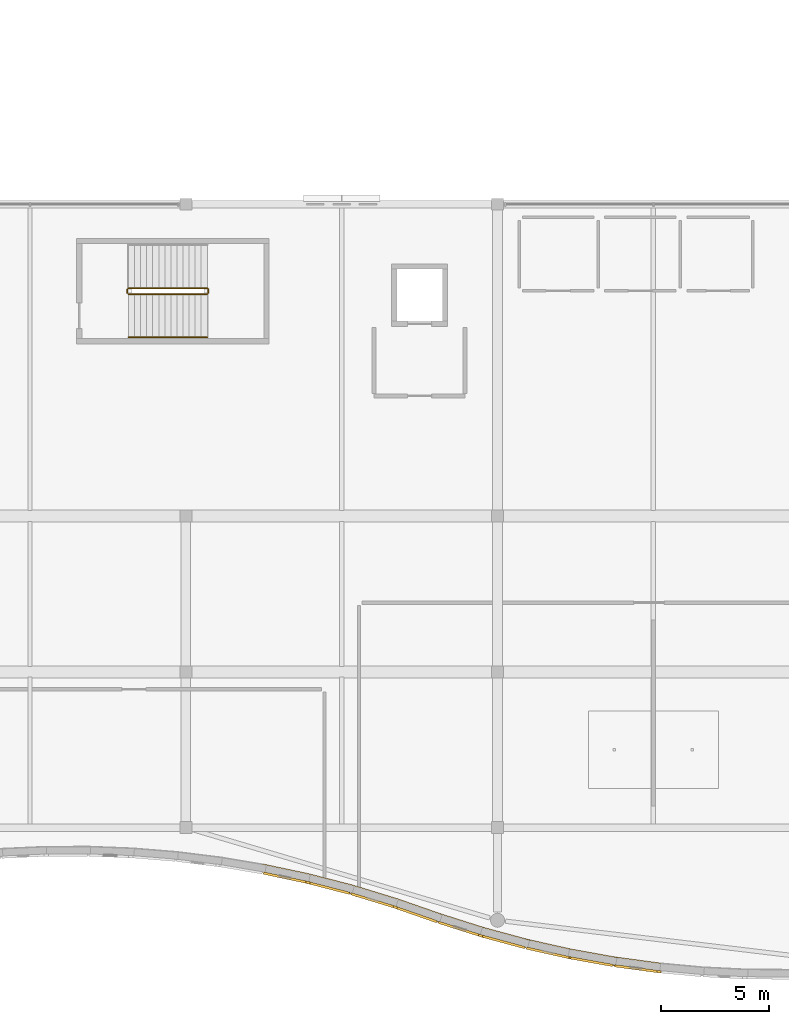
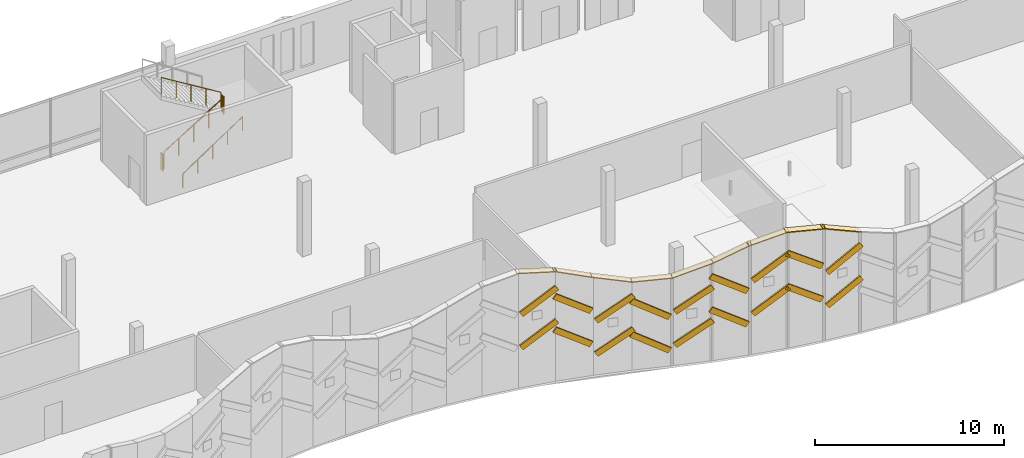
# One storey, part 105 of 116: 27 coverings, 5 railings.
"""IFC4 building model written with IfcOpenShell, lengths in metres."""

import ifcopenshell
import ifcopenshell.guid

model = None  # the IFC model being written
_history = None  # IfcOwnerHistory: only IFC2X3 demands one
_inside = {}  # id of a spatial element -> (the spatial element, [elements in it])
_under = {}  # id of a project, library or spatial element -> (it, [spatial elements below it])
_declared = {}  # id of a project -> (the project, [libraries it declares])
_typed = {}  # id of a type object -> (the type object, [elements of that type])
_made_of = {}  # id of a material, layer set ... -> (it, [elements and type objects made of it])


def new_model(schema):
    """Start an empty IFC model of exactly this schema.

    Asked for "IFC4X3", IfcOpenShell would pick the latest addendum, in which some entities
    have other attributes; the version numbers below select the first issue.
    IFC2X3 requires an IfcOwnerHistory on every rooted entity: one is made here for all.
    """
    global model, _history
    if schema == "IFC4X3":
        model = ifcopenshell.file(schema_version=(4, 3, 0, 0))
    else:
        model = ifcopenshell.file(schema=schema)
    _inside.clear()
    _under.clear()
    _declared.clear()
    _typed.clear()
    _made_of.clear()
    _history = None
    if model.schema == "IFC2X3":
        org = make("IfcOrganization", Name="unknown")
        user = make(
            "IfcPersonAndOrganization",
            ThePerson=make("IfcPerson", FamilyName="unknown"),
            TheOrganization=org,
        )
        app = make(
            "IfcApplication",
            ApplicationDeveloper=org,
            Version="unknown",
            ApplicationFullName="unknown",
            ApplicationIdentifier="unknown",
        )
        _history = make(
            "IfcOwnerHistory",
            OwningUser=user,
            OwningApplication=app,
            ChangeAction="ADDED",
            CreationDate=0,
        )
    return model


def make(cls, **values):
    """One entity of the class cls with the attributes given. An attribute that is None is left unset."""
    return model.create_entity(
        cls, **{name: value for name, value in values.items() if value is not None}
    )


def rooted(cls, **values):
    """An entity with a GlobalId (a new one), such as an element, a storey or a relation."""
    return make(cls, GlobalId=ifcopenshell.guid.new(), OwnerHistory=_history, **values)


def si_unit(unit_type, name, prefix=None):
    """IfcSIUnit, for example si_unit("LENGTHUNIT", "METRE", prefix="MILLI")."""
    return make("IfcSIUnit", UnitType=unit_type, Prefix=prefix, Name=name)


def assignment(units):
    """IfcUnitAssignment: the units of a project."""
    return None if units is None else make("IfcUnitAssignment", Units=units)


def point(xyz):
    """IfcCartesianPoint."""
    return None if xyz is None else make("IfcCartesianPoint", Coordinates=xyz)


def direction(xyz):
    """IfcDirection."""
    return None if xyz is None else make("IfcDirection", DirectionRatios=xyz)


def frame(location, z_axis=None, x_axis=None):
    """IfcAxis2Placement3D, a coordinate frame: its origin and axes. An axis left out is left unset."""
    return make(
        "IfcAxis2Placement3D",
        Location=point(location),
        Axis=direction(z_axis),
        RefDirection=direction(x_axis),
    )


def frame_2d(location, x_axis=None):
    """IfcAxis2Placement2D, a coordinate frame in the plane: its origin and x axis."""
    return make(
        "IfcAxis2Placement2D", Location=point(location), RefDirection=direction(x_axis)
    )


def origin():
    """The frame at (0, 0, 0) with its axes left unset."""
    return frame((0.0, 0.0, 0.0))


def origin_2d():
    """The frame at (0, 0) in the plane with its x axis left unset."""
    return frame_2d((0.0, 0.0))


def place(relative_to, where):
    """IfcLocalPlacement: puts the frame where relative to a parent placement (None: the world)."""
    return make(
        "IfcLocalPlacement", PlacementRelTo=relative_to, RelativePlacement=where
    )


def context(
    kind, dimensions, precision=None, world=None, true_north=None, identifier=None
):
    """IfcGeometricRepresentationContext, for example the 3D "Model" context."""
    return make(
        "IfcGeometricRepresentationContext",
        ContextIdentifier=identifier,
        ContextType=kind,
        CoordinateSpaceDimension=dimensions,
        Precision=precision,
        WorldCoordinateSystem=world,
        TrueNorth=true_north,
    )


def subcontext(parent, identifier, kind, view, scale=None):
    """IfcGeometricRepresentationSubContext, for example "Body" below "Model"."""
    return make(
        "IfcGeometricRepresentationSubContext",
        ContextIdentifier=identifier,
        ContextType=kind,
        ParentContext=parent,
        TargetScale=scale,
        TargetView=view,
    )


def project(units=None, contexts=None):
    """IfcProject with its units and contexts."""
    return rooted(
        "IfcProject",
        Name="project",
        RepresentationContexts=contexts,
        UnitsInContext=assignment(units),
    )


def spatial(cls, under=None, at=None, **own):
    """A site, building, storey or space (cls), placed at a placement, below another one or the project."""
    s = rooted(cls, ObjectPlacement=at, **own)
    if under is not None:
        _under.setdefault(under.id(), (under, []))[1].append(s)
    return s


def polyline(points):
    """IfcPolyline through the points."""
    return make("IfcPolyline", Points=[point(p) for p in points])


def profile(cls, at=None, kind="AREA", **sizes):
    """A parametric profile (cls). Its sizes go by their IFC names, for example OverallWidth=200.0."""
    return make(cls, ProfileType=kind, Position=at, **sizes)


def circle(**sizes):
    """IfcCircleProfileDef."""
    return profile("IfcCircleProfileDef", **sizes)


def outline(outer, holes=None, kind="AREA"):
    """IfcArbitraryClosedProfileDef: a profile drawn as a closed curve; with holes, ...WithVoids."""
    if holes is None:
        return make("IfcArbitraryClosedProfileDef", ProfileType=kind, OuterCurve=outer)
    return make(
        "IfcArbitraryProfileDefWithVoids",
        ProfileType=kind,
        OuterCurve=outer,
        InnerCurves=holes,
    )


def extrude(swept, where, along, depth):
    """IfcExtrudedAreaSolid: the profile swept, set in the frame where, extruded along a direction by depth."""
    return make(
        "IfcExtrudedAreaSolid",
        SweptArea=swept,
        Position=where,
        ExtrudedDirection=direction(along),
        Depth=depth,
    )


def shape(context_of_items, identifier, shape_type, items):
    """IfcShapeRepresentation: the items that make up one representation, for example the "Body"."""
    return make(
        "IfcShapeRepresentation",
        ContextOfItems=context_of_items,
        RepresentationIdentifier=identifier,
        RepresentationType=shape_type,
        Items=items,
    )


def material(Name=None, Category=None):
    """IfcMaterial."""
    return make("IfcMaterial", Name=Name, Category=Category)


def layer(
    of_material, thickness, ventilated=None, Name=None, Category=None, Priority=None
):
    """IfcMaterialLayer: one layer of a wall or slab, of a material (None: an air gap)."""
    return make(
        "IfcMaterialLayer",
        Material=of_material,
        LayerThickness=thickness,
        IsVentilated=ventilated,
        Name=Name,
        Category=Category,
        Priority=Priority,
    )


def layer_set(layers, Name=None):
    """IfcMaterialLayerSet."""
    return make("IfcMaterialLayerSet", MaterialLayers=layers, LayerSetName=Name)


def made_of(thing, what):
    """Note that an element or type object is made of a material, layer set ...; save() writes the relation."""
    if what is not None:
        _made_of.setdefault(what.id(), (what, []))[1].append(thing)
    return thing


def type_object(cls, material=None, **own):
    """A type object (cls), such as IfcWallType, which elements share."""
    return made_of(rooted(cls, **own), material)


def element(
    cls,
    number,
    at=None,
    inside=None,
    cuts=None,
    type_object=None,
    material=None,
    context=None,
    identifier="Body",
    shape_type=None,
    held_by="IfcProductDefinitionShape",
    body=None,
    shapes=None,
    **own,
):
    """One element of the class cls, such as IfcWall. Its Tag is "e" and its number.

    at: its placement. inside: the storey or other place that contains it. cuts: it is an
    opening in that element (IfcRelVoidsElement). A single representation is given by context,
    identifier, shape_type and body (its items); several are given by shapes. held_by: the class
    of the entity that holds the representations. save() writes the other relations.
    """
    e = rooted(cls, Tag="e%d" % number, ObjectPlacement=at, **own)
    if body is not None:
        shapes = [shape(context, identifier, shape_type, body)]
    if shapes is not None:
        e.Representation = make(held_by, Representations=shapes)
    if inside is not None:
        _inside.setdefault(inside.id(), (inside, []))[1].append(e)
    if cuts is not None:
        rooted(
            "IfcRelVoidsElement", RelatingBuildingElement=cuts, RelatedOpeningElement=e
        )
    if type_object is not None:
        _typed.setdefault(type_object.id(), (type_object, []))[1].append(e)
    return made_of(e, material)


def aggregate(whole, parts):
    """IfcRelAggregates: a whole, such as a stair, and the parts it consists of."""
    return rooted("IfcRelAggregates", RelatingObject=whole, RelatedObjects=parts)


def save(model, path):
    """Write the relations noted so far, then the file.

    IfcRelAggregates (storeys below a building ...), IfcRelContainedInSpatialStructure (elements
    in a storey), IfcRelDefinesByType, IfcRelAssociatesMaterial and IfcRelDeclares: one each for
    every whole, place, type object, material and project.
    """
    for whole, parts in _under.values():
        aggregate(whole, parts)
    for where, things in _inside.values():
        rooted(
            "IfcRelContainedInSpatialStructure",
            RelatedElements=things,
            RelatingStructure=where,
        )
    for kind, things in _typed.values():
        rooted("IfcRelDefinesByType", RelatedObjects=things, RelatingType=kind)
    for what, things in _made_of.values():
        rooted("IfcRelAssociatesMaterial", RelatedObjects=things, RelatingMaterial=what)
    for by, libraries in _declared.values():
        rooted("IfcRelDeclares", RelatingContext=by, RelatedDefinitions=libraries)
    model.write(path)


model = new_model("IFC4")

# Units and contexts
model_context = context("Model", 3, precision=1e-05, world=origin(), true_north=direction((0.0, 1.0)))
body_context = subcontext(model_context, "Body", "Model", "MODEL_VIEW")
ifc_project = project(units=[si_unit("LENGTHUNIT", "METRE"), si_unit("AREAUNIT", "SQUARE_METRE"), si_unit("VOLUMEUNIT", "CUBIC_METRE"), si_unit("PLANEANGLEUNIT", "RADIAN"), si_unit("MASSUNIT", "GRAM", prefix="KILO")], contexts=[model_context])

# Site, building, storey
site_placement = place(None, origin())
site = spatial("IfcSite", under=ifc_project, at=site_placement, CompositionType="ELEMENT")
building_placement = place(site_placement, origin())
building = spatial("IfcBuilding", under=site, at=building_placement, Name="Cendralis Lancet Convention Centre", CompositionType="ELEMENT")
storey_placement = place(building_placement, frame((0.0, 0.0, 15.0)))
storey = spatial("IfcBuildingStorey", under=building, at=storey_placement, Name="L03", CompositionType="ELEMENT", Elevation=15.0)

# Coverings
ifc_material_1 = material(Name="Warm buff sandstone chevron cassette", Category="masonry")
ifc_layer_1 = layer(ifc_material_1, 0.06005859375, Name="Warm buff sandstone chevron cassette")
ifc_layer_set_1 = layer_set([ifc_layer_1], Name="Warm buff sandstone chevron cassette")
covering_type_1 = type_object("IfcCoveringType", Name="ARC-CV-CLAD1", PredefinedType="CLADDING", material=ifc_layer_set_1)
covering_1_placement = place(storey_placement, frame((32.38818359375, 5.04248046875, 2.7880859375), z_axis=(-0.534950305889, 0.113419169162, 0.837236085161), x_axis=(0.818976257183, -0.173902767528, 0.546841583657)))
element("IfcCovering", 1, at=covering_1_placement, inside=storey, type_object=covering_type_1, Name="L03 Diagonal Stone Chevron Relief CL-ST1 #0101", PredefinedType="CLADDING", context=body_context, shape_type="SweptSolid", body=[
    extrude(outline(polyline([(0.0, 0.0), (2.3768309754236987, 2.4015078120553923e-17), (2.3769024226149433, 0.11008464103954016), (-0.00012849818404408325, 0.11003395256532972), (0.0, 0.0)])), origin(), (0.0, 0.0, -1.0), 0.360107421875),
])
covering_2_placement = place(storey_placement, frame((34.401611328125, 4.61328125, 3.5400390625), z_axis=(0.525708737649, -0.135336917587, 0.839829888667), x_axis=(0.813251866654, -0.209608349465, -0.542849648814)))
element("IfcCovering", 2, at=covering_2_placement, inside=storey, type_object=covering_type_1, Name="L03 Diagonal Stone Chevron Relief CL-ST1 #0107", PredefinedType="CLADDING", context=body_context, shape_type="SweptSolid", body=[
    extrude(outline(polyline([(0.0, 0.0), (2.394760568051212, -1.2468324983583301e-17), (2.3948334714241444, 0.1101985557260967), (-0.00012564444607509814, 0.11013764191872884), (0.0, 0.0)])), origin(), (0.0, 0.0, -1.0), 0.360107421875),
])
covering_3_placement = place(storey_placement, frame((36.414794921875, 4.093017578125, 1.5439453125), z_axis=(-0.514317451293, 0.157700124438, 0.842975818186), x_axis=(0.806255903693, -0.246089379247, 0.53795114572)))
element("IfcCovering", 3, at=covering_3_placement, inside=storey, type_object=covering_type_1, Name="L03 Diagonal Stone Chevron Relief CL-ST1 #0113", PredefinedType="CLADDING", context=body_context, shape_type="SweptSolid", body=[
    extrude(outline(polyline([(0.0, 0.0), (2.416697252485655, 7.752045533271357e-17), (2.4167854499543617, 0.11004890548893434), (0.00014827788356162538, 0.10981542602304782), (0.0, 0.0)])), origin(), (0.0, 0.0, -1.0), 0.360107421875),
])
covering_4_placement = place(storey_placement, frame((38.4296875, 3.4765625, 2.514892578125), z_axis=(0.503157001729, -0.175011131036, 0.846288447058), x_axis=(0.799403094232, -0.277774815602, -0.532724924092)))
element("IfcCovering", 4, at=covering_4_placement, inside=storey, type_object=covering_type_1, Name="L03 Diagonal Stone Chevron Relief CL-ST1 #0119", PredefinedType="CLADDING", context=body_context, shape_type="SweptSolid", body=[
    extrude(outline(polyline([(0.0, 0.0), (2.439883228466837, 1.0245710529988017e-16), (2.4399460608192136, 0.10987112767876948), (-4.9837647139970576e-06, 0.11010173555932223), (0.0, 0.0)])), origin(), (0.0, 0.0, -1.0), 0.360107421875),
])
covering_5_placement = place(storey_placement, frame((40.462890625, 2.771240234375, 1.5029296875), z_axis=(-0.511337774202, 0.162508978297, 0.843874701983), x_axis=(0.804316544098, -0.255341790384, 0.536540275257)))
element("IfcCovering", 5, at=covering_5_placement, inside=storey, type_object=covering_type_1, Name="L03 Diagonal Stone Chevron Relief CL-ST1 #0125", PredefinedType="CLADDING", context=body_context, shape_type="SweptSolid", body=[
    extrude(outline(polyline([(0.0, 0.0), (2.4228925091726596, -6.483528991463317e-17), (2.423051136728038, 0.10994719677205798), (-0.00010007809268892942, 0.11010599232988509), (0.0, 0.0)])), origin(), (0.0, 0.0, -1.0), 0.360107421875),
])
covering_6_placement = place(storey_placement, frame((42.49951171875, 2.126708984375, 3.5048828125), z_axis=(0.522693771512, -0.141788195491, 0.840646970399), x_axis=(0.811561100782, -0.219217118599, -0.541583266553)))
element("IfcCovering", 6, at=covering_6_placement, inside=storey, type_object=covering_type_1, Name="L03 Diagonal Stone Chevron Relief CL-ST1 #0131", PredefinedType="CLADDING", context=body_context, shape_type="SweptSolid", body=[
    extrude(outline(polyline([(0.0, 0.0), (2.400008951110837, -6.960577947356938e-17), (2.400107770276262, 0.11003914856199302), (9.881916542499314e-05, 0.11003914856199304), (0.0, 0.0)])), origin(), (0.0, 0.0, -1.0), 0.360107421875),
])
covering_7_placement = place(storey_placement, frame((44.5361328125, 1.57861328125, 2.81396484375), z_axis=(-0.53277069084, 0.1192679842, 0.837812949844), x_axis=(0.817605654926, -0.182897613704, 0.545957375565)))
element("IfcCovering", 7, at=covering_7_placement, inside=storey, type_object=covering_type_1, Name="L03 Diagonal Stone Chevron Relief CL-ST1 #0137", PredefinedType="CLADDING", context=body_context, shape_type="SweptSolid", body=[
    extrude(outline(polyline([(0.0, 0.0), (2.381327506291326, 4.4398078963281407e-17), (2.3812421557427212, 0.11005403546716523), (0.00011426020699233097, 0.11010734338340043), (0.0, 0.0)])), origin(), (0.0, 0.0, -1.0), 0.360107421875),
])
covering_8_placement = place(storey_placement, frame((46.572509765625, 1.125, 4.194091796875), z_axis=(0.54056984963, -0.096791223076, 0.835712687953), x_axis=(0.822617547187, -0.147363731386, -0.549166916094)))
element("IfcCovering", 8, at=covering_8_placement, inside=storey, type_object=covering_type_1, Name="L03 Diagonal Stone Chevron Relief CL-ST1 #0143", PredefinedType="CLADDING", context=body_context, shape_type="SweptSolid", body=[
    extrude(outline(polyline([(0.0, 0.0), (2.367411321841086, 1.9081958235744878e-17), (2.3673032382210972, 0.11010085287617681), (9.275074211759562e-05, 0.11014389688924925), (0.0, 0.0)])), origin(), (0.0, 0.0, -1.0), 0.360107421875),
])
covering_9_placement = place(storey_placement, frame((48.610107421875, 0.761962890625, 2.39306640625), z_axis=(-0.547108722041, 0.074132312841, 0.833772418865), x_axis=(0.826303815869, -0.111348835484, 0.552108178454)))
element("IfcCovering", 9, at=covering_9_placement, inside=storey, type_object=covering_type_1, Name="L03 Diagonal Stone Chevron Relief CL-ST1 #0149", PredefinedType="CLADDING", context=body_context, shape_type="SweptSolid", body=[
    extrude(outline(polyline([(0.0, 0.0), (2.354786648451563, 3.8272336688738307e-17), (2.354766298921833, 0.10986760438700886), (0.0001542000260283012, 0.11014220916614062), (0.0, 0.0)])), origin(), (0.0, 0.0, -1.0), 0.360107421875),
])
ifc_material_2 = material(Name="Dark Andean slate chevron cassette", Category="masonry")
ifc_layer_2 = layer(ifc_material_2, 0.06005859375, Name="Dark Andean slate chevron cassette")
ifc_layer_set_2 = layer_set([ifc_layer_2], Name="Dark Andean slate chevron cassette")
covering_type_2 = type_object("IfcCoveringType", Name="ARC-CV-CLAD2", PredefinedType="CLADDING", material=ifc_layer_set_2)
covering_10_placement = place(storey_placement, frame((32.275146484375, 5.112548828125, 7.474609375), z_axis=(0.156682057546, -0.033301923646, 0.987087490917), x_axis=(0.965554333323, -0.205052541661, -0.160182035694)))
element("IfcCovering", 10, at=covering_10_placement, inside=storey, type_object=covering_type_2, Name="Wave Ribbon Sinusoidal Slate Coping W-016", PredefinedType="CLADDING", context=body_context, shape_type="SweptSolid", body=[
    extrude(outline(polyline([(0.0, 0.0), (2.269333822541584, -6.988191221437429e-17), (2.2695218294398534, 0.4198429051753988), (-4.7724140139135396e-05, 0.4197921876048967), (0.0, 0.0)])), origin(), (0.0, 0.0, -1.0), 0.06005859375),
])
covering_11_placement = place(storey_placement, frame((32.38818359375, 5.04248046875, 4.93798828125), z_axis=(-0.535020732158, 0.113434100809, 0.837189059254), x_axis=(0.818930256898, -0.173892999751, 0.546913575416)))
element("IfcCovering", 11, at=covering_11_placement, inside=storey, type_object=covering_type_2, Name="L03 Diagonal Stone Chevron Relief CL-ST2 #0102", PredefinedType="CLADDING", context=body_context, shape_type="SweptSolid", body=[
    extrude(outline(polyline([(0.0, 0.0), (2.3769644960736502, 1.3002294553532412e-16), (2.3770359392519813, 0.11008464103704459), (-0.0001284909664191619, 0.1100339525686559), (0.0, 0.0)])), origin(), (0.0, 0.0, -1.0), 0.360107421875),
])
covering_12_placement = place(storey_placement, frame((34.291748046875, 4.688232421875, 7.163330078125), z_axis=(0.335872798275, -0.086488253578, 0.937928166424), x_axis=(0.908237773688, -0.23412261487, -0.346829565713)))
element("IfcCovering", 12, at=covering_12_placement, inside=storey, type_object=covering_type_2, Name="Wave Ribbon Sinusoidal Slate Coping W-017", PredefinedType="CLADDING", context=body_context, shape_type="SweptSolid", body=[
    extrude(outline(polyline([(0.0, 0.0), (2.410929526453684, 1.6696713456276768e-17), (2.410828385960318, 0.42000680665188317), (-0.00010114049336597264, 0.42000680665188317), (0.0, 0.0)])), origin(), (0.0, 0.0, -1.0), 0.06005859375),
])
covering_13_placement = place(storey_placement, frame((34.401611328125, 4.61328125, 5.68994140625), z_axis=(0.525708737649, -0.135336917587, 0.839829888667), x_axis=(0.813251866654, -0.209608349465, -0.542849648814)))
element("IfcCovering", 13, at=covering_13_placement, inside=storey, type_object=covering_type_2, Name="L03 Diagonal Stone Chevron Relief CL-ST2 #0108", PredefinedType="CLADDING", context=body_context, shape_type="SweptSolid", body=[
    extrude(outline(polyline([(0.0, 0.0), (2.394760568051212, -1.2468324983583301e-17), (2.3948334714241444, 0.1101985557260967), (-0.00012564444607509814, 0.11013764191872884), (0.0, 0.0)])), origin(), (0.0, 0.0, -1.0), 0.360107421875),
])
covering_14_placement = place(storey_placement, frame((36.30859375, 4.17236328125, 6.392822265625), z_axis=(0.275793598248, -0.084137579046, 0.957527419429), x_axis=(0.915840696901, -0.27945406972, -0.28834222864)))
element("IfcCovering", 14, at=covering_14_placement, inside=storey, type_object=covering_type_2, Name="Wave Ribbon Sinusoidal Slate Coping W-018", PredefinedType="CLADDING", context=body_context, shape_type="SweptSolid", body=[
    extrude(outline(polyline([(0.0, 0.0), (2.388518920370996, -2.3954091748351614e-18), (2.388531148191834, 0.4198955435882799), (-5.599827040200789e-05, 0.420129055678093), (0.0, 0.0)])), origin(), (0.0, 0.0, -1.0), 0.06005859375),
])
covering_15_placement = place(storey_placement, frame((36.414794921875, 4.093017578125, 3.694091796875), z_axis=(-0.514248811292, 0.157679078027, 0.843021629875), x_axis=(0.80629971978, -0.24610275301, 0.537879351569)))
element("IfcCovering", 15, at=covering_15_placement, inside=storey, type_object=covering_type_2, Name="L03 Diagonal Stone Chevron Relief CL-ST2 #0114", PredefinedType="CLADDING", context=body_context, shape_type="SweptSolid", body=[
    extrude(outline(polyline([(0.0, 0.0), (2.416565927159779, -8.326672684688674e-17), (2.416654129421428, 0.11004890548554222), (0.0001482859415831636, 0.10981542601261758), (0.0, 0.0)])), origin(), (0.0, 0.0, -1.0), 0.360107421875),
])
covering_16_placement = place(storey_placement, frame((38.326416015625, 3.56005859375, 5.73486328125), z_axis=(0.012053739903, -0.0041872838, 0.99991858369), x_axis=(0.944533652507, -0.328166654751, -0.012760328793)))
element("IfcCovering", 16, at=covering_16_placement, inside=storey, type_object=covering_type_2, Name="Wave Ribbon Sinusoidal Slate Coping W-019", PredefinedType="CLADDING", context=body_context, shape_type="SweptSolid", body=[
    extrude(outline(polyline([(0.0, 0.0), (2.3151822643740836, -4.616647199891157e-17), (2.3150470510057835, 0.4199446343384667), (9.538566795624925e-05, 0.42002475967239034), (0.0, 0.0)])), origin(), (0.0, 0.0, -1.0), 0.06005859375),
])
covering_17_placement = place(storey_placement, frame((38.4296875, 3.4765625, 4.6650390625), z_axis=(0.503224682855, -0.175034672297, 0.846243335016), x_axis=(0.799360481452, -0.277760008608, -0.532796582488)))
element("IfcCovering", 17, at=covering_17_placement, inside=storey, type_object=covering_type_2, Name="L03 Diagonal Stone Chevron Relief CL-ST2 #0120", PredefinedType="CLADDING", context=body_context, shape_type="SweptSolid", body=[
    extrude(outline(polyline([(0.0, 0.0), (2.4400132988194647, 7.451179430406629e-17), (2.440076127822473, 0.10987112768012615), (-4.9834990936172e-06, 0.11010173555877661), (0.0, 0.0)])), origin(), (0.0, 0.0, -1.0), 0.360107421875),
])
covering_18_placement = place(storey_placement, frame((40.357421875, 2.85205078125, 5.6787109375), z_axis=(-0.263169771339, 0.083575269056, 0.961122700728), x_axis=(0.916063752413, -0.290833367828, 0.276121628404)))
element("IfcCovering", 18, at=covering_18_placement, inside=storey, type_object=covering_type_2, Name="Wave Ribbon Sinusoidal Slate Coping W-020", PredefinedType="CLADDING", context=body_context, shape_type="SweptSolid", body=[
    extrude(outline(polyline([(0.0, 0.0), (2.387391989480237, -1.05574186545776e-17), (2.38731319587294, 0.4198026889676573), (0.00014485476975761857, 0.419876566773159), (0.0, 0.0)])), origin(), (0.0, 0.0, -1.0), 0.06005859375),
])
covering_19_placement = place(storey_placement, frame((40.462890625, 2.771240234375, 3.653076171875), z_axis=(-0.511269386278, 0.162487243835, 0.843920322214), x_axis=(0.804360025795, -0.255355594269, 0.53646851667)))
element("IfcCovering", 19, at=covering_19_placement, inside=storey, type_object=covering_type_2, Name="L03 Diagonal Stone Chevron Relief CL-ST2 #0126", PredefinedType="CLADDING", context=body_context, shape_type="SweptSolid", body=[
    extrude(outline(polyline([(0.0, 0.0), (2.4227615196598657, 6.423897871976614e-18), (2.4229201557908864, 0.10994719676791503), (-0.0001000835027842907, 0.1101059923331857), (0.0, 0.0)])), origin(), (0.0, 0.0, -1.0), 0.360107421875),
])
covering_20_placement = place(storey_placement, frame((42.390380859375, 2.202880859375, 6.2724609375), z_axis=(-0.347593432776, 0.093961138661, 0.932925565044), x_axis=(0.900625178787, -0.243360634348, 0.36006928359)))
element("IfcCovering", 20, at=covering_20_placement, inside=storey, type_object=covering_type_2, Name="Wave Ribbon Sinusoidal Slate Coping W-021", PredefinedType="CLADDING", context=body_context, shape_type="SweptSolid", body=[
    extrude(outline(polyline([(0.0, 0.0), (2.4307659123233467, -7.344453279052587e-17), (2.430804655395342, 0.42007244691684237), (3.874307199541738e-05, 0.42007244691684237), (0.0, 0.0)])), origin(), (0.0, 0.0, -1.0), 0.06005859375),
])
covering_21_placement = place(storey_placement, frame((42.49951171875, 2.126708984375, 5.655029296875), z_axis=(0.522763146144, -0.141807014356, 0.840600656503), x_axis=(0.811516389354, -0.219205041246, -0.541655148321)))
element("IfcCovering", 21, at=covering_21_placement, inside=storey, type_object=covering_type_2, Name="L03 Diagonal Stone Chevron Relief CL-ST2 #0132", PredefinedType="CLADDING", context=body_context, shape_type="SweptSolid", body=[
    extrude(outline(polyline([(0.0, 0.0), (2.400141182362894, 1.1741909528018013e-16), (2.4002399960840637, 0.11003914856688213), (9.881372116942941e-05, 0.11003914856688203), (0.0, 0.0)])), origin(), (0.0, 0.0, -1.0), 0.360107421875),
])
covering_22_placement = place(storey_placement, frame((44.424072265625, 1.64990234375, 7.08984375), z_axis=(-0.195576931197, 0.043739808019, 0.979712454334), x_axis=(0.95607075801, -0.21392802364, 0.200408349077)))
element("IfcCovering", 22, at=covering_22_placement, inside=storey, type_object=covering_type_2, Name="Wave Ribbon Sinusoidal Slate Coping W-022", PredefinedType="CLADDING", context=body_context, shape_type="SweptSolid", body=[
    extrude(outline(polyline([(0.0, 0.0), (2.2915807027500548, 1.215898855124603e-16), (2.2914199074773483, 0.4200116833597694), (7.262043969855081e-05, 0.42006499238608885), (0.0, 0.0)])), origin(), (0.0, 0.0, -1.0), 0.06005859375),
])
covering_23_placement = place(storey_placement, frame((44.5361328125, 1.57861328125, 4.964111328125), z_axis=(-0.532700456208, 0.119252261219, 0.837859846365), x_axis=(0.817651420344, -0.182907851386, 0.545885402545)))
element("IfcCovering", 23, at=covering_23_placement, inside=storey, type_object=covering_type_2, Name="L03 Diagonal Stone Chevron Relief CL-ST2 #0138", PredefinedType="CLADDING", context=body_context, shape_type="SweptSolid", body=[
    extrude(outline(polyline([(0.0, 0.0), (2.3811942302883584, -3.7161029461940664e-17), (2.381108874962195, 0.11005403546852606), (0.00011426660263138058, 0.11010734338182707), (0.0, 0.0)])), origin(), (0.0, 0.0, -1.0), 0.360107421875),
])
covering_24_placement = place(storey_placement, frame((46.45751953125, 1.19140625, 7.54150390625), z_axis=(0.124833745567, -0.022365431983, 0.991925563447), x_axis=(0.976371222206, -0.174973026203, -0.126821435685)))
element("IfcCovering", 24, at=covering_24_placement, inside=storey, type_object=covering_type_2, Name="Wave Ribbon Sinusoidal Slate Coping W-023", PredefinedType="CLADDING", context=body_context, shape_type="SweptSolid", body=[
    extrude(outline(polyline([(0.0, 0.0), (2.2464419550611545, 3.834348745630767e-17), (2.2465426740952115, 0.42018096921409925), (-0.00013765284636434172, 0.42013790362967596), (0.0, 0.0)])), origin(), (0.0, 0.0, -1.0), 0.06005859375),
])
covering_25_placement = place(storey_placement, frame((46.572509765625, 1.125, 6.343994140625), z_axis=(0.54056984963, -0.096791223076, 0.835712687953), x_axis=(0.822617547187, -0.147363731386, -0.549166916094)))
element("IfcCovering", 25, at=covering_25_placement, inside=storey, type_object=covering_type_2, Name="L03 Diagonal Stone Chevron Relief CL-ST2 #0144", PredefinedType="CLADDING", context=body_context, shape_type="SweptSolid", body=[
    extrude(outline(polyline([(0.0, 0.0), (2.367411321841086, 1.9081958235744878e-17), (2.3673032382210972, 0.11010085287617681), (9.275074211759562e-05, 0.11014389688924925), (0.0, 0.0)])), origin(), (0.0, 0.0, -1.0), 0.360107421875),
])
covering_26_placement = place(storey_placement, frame((48.492431640625, 0.823486328125, 7.304931640625), z_axis=(0.341709920654, -0.046109288208, 0.938673672619), x_axis=(0.930246706786, -0.125496327738, -0.344806810024)))
element("IfcCovering", 26, at=covering_26_placement, inside=storey, type_object=covering_type_2, Name="Wave Ribbon Sinusoidal Slate Coping W-024", PredefinedType="CLADDING", context=body_context, shape_type="SweptSolid", body=[
    extrude(outline(polyline([(0.0, 0.0), (2.3578233985253174, -1.7279472123987727e-18), (2.357819859405894, 0.42003009194888863), (2.7099632465409085e-05, 0.4197881432183237), (0.0, 0.0)])), origin(), (0.0, 0.0, -1.0), 0.06005859375),
])
covering_27_placement = place(storey_placement, frame((48.610107421875, 0.761962890625, 4.54296875), z_axis=(-0.547108722041, 0.074132312841, 0.833772418865), x_axis=(0.826303815869, -0.111348835484, 0.552108178454)))
element("IfcCovering", 27, at=covering_27_placement, inside=storey, type_object=covering_type_2, Name="L03 Diagonal Stone Chevron Relief CL-ST2 #0150", PredefinedType="CLADDING", context=body_context, shape_type="SweptSolid", body=[
    extrude(outline(polyline([(0.0, 0.0), (2.354786648451563, 3.8272336688738307e-17), (2.354766298921833, 0.10986760438700886), (0.0001542000260283012, 0.11014220916614062), (0.0, 0.0)])), origin(), (0.0, 0.0, -1.0), 0.360107421875),
])

# Railings
ifc_material_3 = material(Name="Steel S355", Category="steel")
railing_type_1 = type_object("IfcRailingType", Name="ARC-RL-CGD", PredefinedType="GUARDRAIL", material=ifc_material_3)
railing_1_placement = place(storey_placement, frame((26.14990234375, 31.85009765625, 0.17138671875)))
element("IfcRailing", 28, at=railing_1_placement, inside=storey, type_object=railing_type_1, Name="L03 ST-11 stair guard 1", PredefinedType="GUARDRAIL", context=body_context, shape_type="SweptSolid", body=[
    extrude(circle(Radius=0.02392578125, at=origin_2d()), frame((0.0, 0.0, 1.076171875), z_axis=(0.852865859571, 0.0, 0.52213008492), x_axis=(0.0, 1.0, 0.0)), (0.0, 0.0, 1.0), 4.26806640625),
    extrude(circle(Radius=0.02099609375, at=origin_2d()), origin(), (0.0, 0.0, 1.0), 1.052001953125),
    extrude(circle(Radius=0.02099609375, at=origin_2d()), frame((0.91015625, 0.0, 0.55712890625)), (0.0, 0.0, 1.0), 1.052001953125),
    extrude(circle(Radius=0.02099609375, at=origin_2d()), frame((1.820068359375, 0.0, 1.1142578125)), (0.0, 0.0, 1.0), 1.052001953125),
    extrude(circle(Radius=0.02099609375, at=origin_2d()), frame((2.72998046875, 0.0, 1.67138671875)), (0.0, 0.0, 1.0), 1.052001953125),
    extrude(circle(Radius=0.02099609375, at=origin_2d()), frame((3.64013671875, 0.0, 2.228515625)), (0.0, 0.0, 1.0), 1.052001953125),
])
railing_2_placement = place(storey_placement, frame((29.840087890625, 31.89990234375, 2.39990234375)))
element("IfcRailing", 29, at=railing_2_placement, inside=storey, type_object=railing_type_1, Name="L03 ST-11 stair guard 2", PredefinedType="GUARDRAIL", context=body_context, shape_type="SweptSolid", body=[
    extrude(circle(Radius=0.02392578125, at=origin_2d()), frame((0.0, 0.0, 1.076171875), z_axis=(0.0, 1.0, 0.0), x_axis=(-1.0, 0.0, 0.0)), (0.0, 0.0, 1.0), 0.18017578125),
    extrude(circle(Radius=0.02099609375, at=origin_2d()), origin(), (0.0, 0.0, 1.0), 1.052001953125),
    extrude(circle(Radius=0.02099609375, at=origin_2d()), frame((0.0, 0.18017578125, 0.0)), (0.0, 0.0, 1.0), 1.052001953125),
])
railing_3_placement = place(storey_placement, frame((29.7900390625, 32.1298828125, 2.571533203125)))
element("IfcRailing", 30, at=railing_3_placement, inside=storey, type_object=railing_type_1, Name="L03 ST-11 stair guard 3", PredefinedType="GUARDRAIL", context=body_context, shape_type="SweptSolid", body=[
    extrude(circle(Radius=0.02392578125, at=origin_2d()), frame((0.0, 0.0, 1.076171875), z_axis=(-0.852865859571, 0.0, 0.52213008492), x_axis=(0.0, -1.0, 0.0)), (0.0, 0.0, 1.0), 4.26806640625),
    extrude(circle(Radius=0.02099609375, at=origin_2d()), origin(), (0.0, 0.0, 1.0), 1.052001953125),
    extrude(circle(Radius=0.02099609375, at=origin_2d()), frame((-0.91015625, 0.0, 0.55712890625)), (0.0, 0.0, 1.0), 1.052001953125),
    extrude(circle(Radius=0.02099609375, at=origin_2d()), frame((-1.820068359375, 0.0, 1.1142578125)), (0.0, 0.0, 1.0), 1.052001953125),
    extrude(circle(Radius=0.02099609375, at=origin_2d()), frame((-2.72998046875, 0.0, 1.67138671875)), (0.0, 0.0, 1.0), 1.052001953125),
    extrude(circle(Radius=0.02099609375, at=origin_2d()), frame((-3.64013671875, 0.0, 2.228515625)), (0.0, 0.0, 1.0), 1.052001953125),
])
railing_4_placement = place(storey_placement, frame((26.10009765625, 31.89990234375, 0.0)))
element("IfcRailing", 31, at=railing_4_placement, inside=storey, type_object=railing_type_1, Name="L03 ST-11 stair guard 4", PredefinedType="GUARDRAIL", context=body_context, shape_type="SweptSolid", body=[
    extrude(circle(Radius=0.02392578125, at=origin_2d()), frame((0.0, 0.0, 1.076171875), z_axis=(0.0, 1.0, 0.0), x_axis=(-1.0, 0.0, 0.0)), (0.0, 0.0, 1.0), 0.18017578125),
    extrude(circle(Radius=0.02099609375, at=origin_2d()), origin(), (0.0, 0.0, 1.0), 1.052001953125),
    extrude(circle(Radius=0.02099609375, at=origin_2d()), frame((0.0, 0.18017578125, 0.0)), (0.0, 0.0, 1.0), 1.052001953125),
])
railing_type_2 = type_object("IfcRailingType", Name="ARC-RL-CHR", PredefinedType="HANDRAIL", material=ifc_material_3)
railing_5_placement = place(storey_placement, frame((26.14990234375, 29.85009765625, 0.17138671875)))
element("IfcRailing", 32, at=railing_5_placement, inside=storey, type_object=railing_type_2, Name="L03 ST-11 stair handrail 1", PredefinedType="HANDRAIL", context=body_context, shape_type="SweptSolid", body=[
    extrude(circle(Radius=0.02392578125, at=origin_2d()), frame((0.0, 0.0, 0.8759765625), z_axis=(0.834856447115, 0.0, 0.55046772177), x_axis=(0.0, 1.0, 0.0)), (0.0, 0.0, 1.0), 4.360107421875),
    extrude(circle(Radius=0.02099609375, at=origin_2d()), origin(), (0.0, 0.0, 1.0), 0.851806640625),
    extrude(circle(Radius=0.02099609375, at=origin_2d()), frame((0.91015625, 0.0, 0.60009765625)), (0.0, 0.0, 1.0), 0.851806640625),
    extrude(circle(Radius=0.02099609375, at=origin_2d()), frame((1.820068359375, 0.0, 1.2001953125)), (0.0, 0.0, 1.0), 0.851806640625),
    extrude(circle(Radius=0.02099609375, at=origin_2d()), frame((2.72998046875, 0.0, 1.800048828125)), (0.0, 0.0, 1.0), 0.851806640625),
    extrude(circle(Radius=0.02099609375, at=origin_2d()), frame((3.64013671875, 0.0, 2.400146484375)), (0.0, 0.0, 1.0), 0.851806640625),
])

save(model, "model.ifc")
